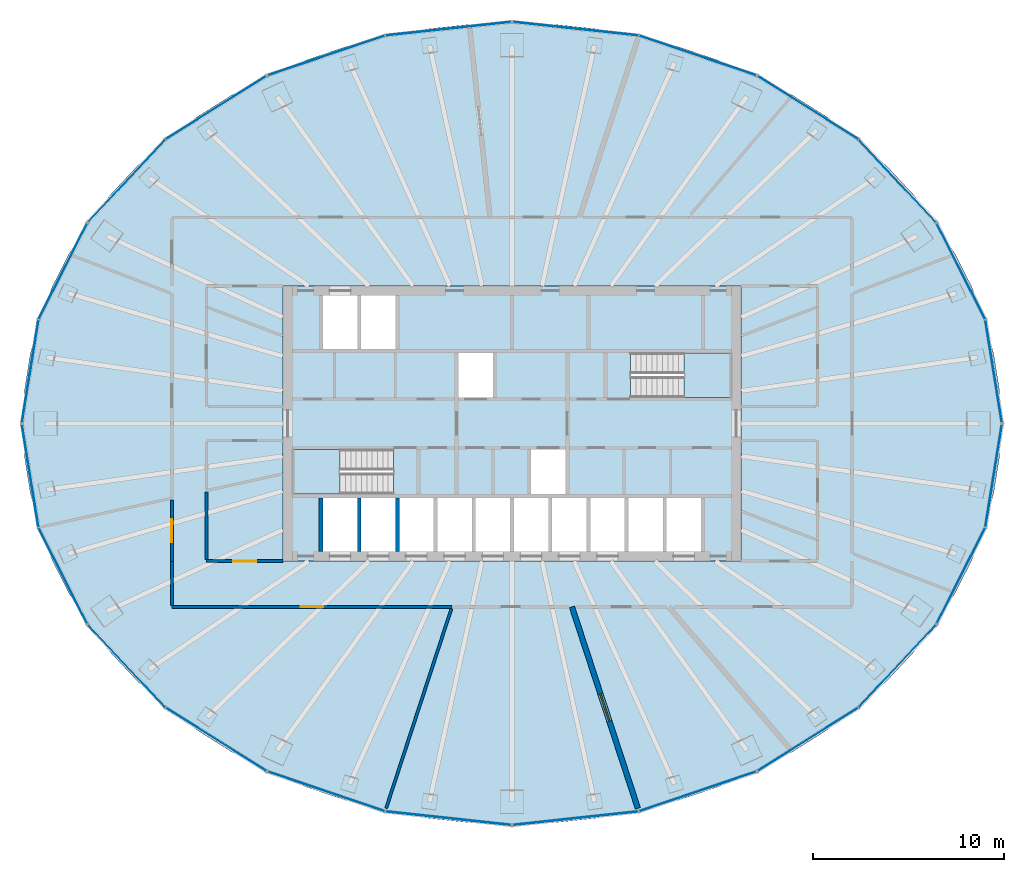
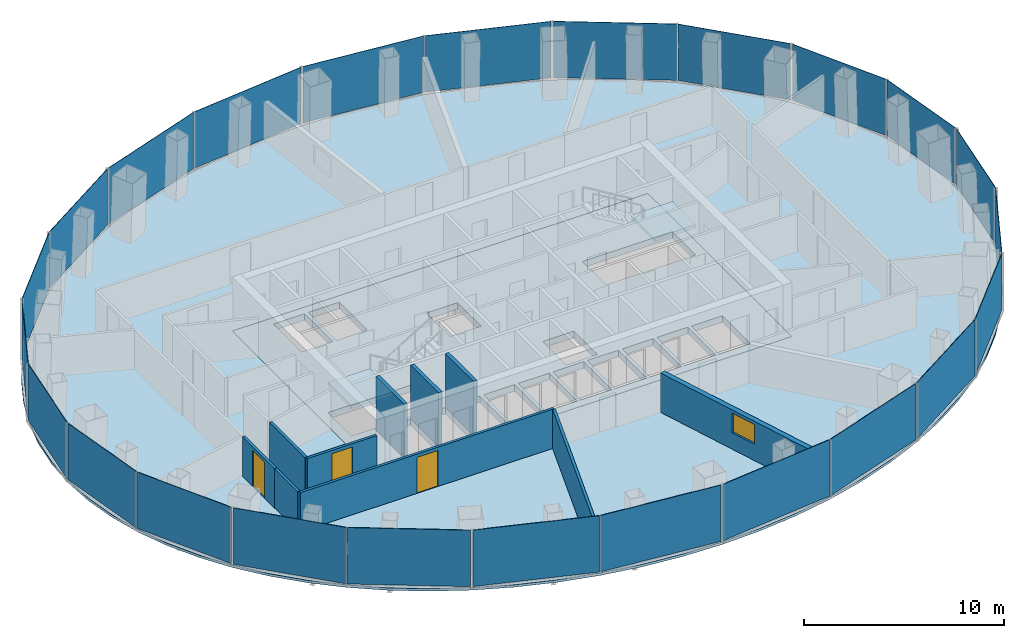
# One storey, part 7 of 12: 24 plates, 10 walls, 4 slabs, 3 doors, 1 window, 4 openings, 14 elements without a shape of their own.
"""IFC4 building model written with IfcOpenShell, lengths in metres."""

import ifcopenshell
import ifcopenshell.guid

model = None  # the IFC model being written
_history = None  # IfcOwnerHistory: only IFC2X3 demands one
_inside = {}  # id of a spatial element -> (the spatial element, [elements in it])
_under = {}  # id of a project, library or spatial element -> (it, [spatial elements below it])
_declared = {}  # id of a project -> (the project, [libraries it declares])
_typed = {}  # id of a type object -> (the type object, [elements of that type])
_made_of = {}  # id of a material, layer set ... -> (it, [elements and type objects made of it])


def new_model(schema):
    """Start an empty IFC model of exactly this schema.

    Asked for "IFC4X3", IfcOpenShell would pick the latest addendum, in which some entities
    have other attributes; the version numbers below select the first issue.
    IFC2X3 requires an IfcOwnerHistory on every rooted entity: one is made here for all.
    """
    global model, _history
    if schema == "IFC4X3":
        model = ifcopenshell.file(schema_version=(4, 3, 0, 0))
    else:
        model = ifcopenshell.file(schema=schema)
    _inside.clear()
    _under.clear()
    _declared.clear()
    _typed.clear()
    _made_of.clear()
    _history = None
    if model.schema == "IFC2X3":
        org = make("IfcOrganization", Name="unknown")
        user = make(
            "IfcPersonAndOrganization",
            ThePerson=make("IfcPerson", FamilyName="unknown"),
            TheOrganization=org,
        )
        app = make(
            "IfcApplication",
            ApplicationDeveloper=org,
            Version="unknown",
            ApplicationFullName="unknown",
            ApplicationIdentifier="unknown",
        )
        _history = make(
            "IfcOwnerHistory",
            OwningUser=user,
            OwningApplication=app,
            ChangeAction="ADDED",
            CreationDate=0,
        )
    return model


def make(cls, **values):
    """One entity of the class cls with the attributes given. An attribute that is None is left unset."""
    return model.create_entity(
        cls, **{name: value for name, value in values.items() if value is not None}
    )


def rooted(cls, **values):
    """An entity with a GlobalId (a new one), such as an element, a storey or a relation."""
    return make(cls, GlobalId=ifcopenshell.guid.new(), OwnerHistory=_history, **values)


def si_unit(unit_type, name, prefix=None):
    """IfcSIUnit, for example si_unit("LENGTHUNIT", "METRE", prefix="MILLI")."""
    return make("IfcSIUnit", UnitType=unit_type, Prefix=prefix, Name=name)


def assignment(units):
    """IfcUnitAssignment: the units of a project."""
    return None if units is None else make("IfcUnitAssignment", Units=units)


def point(xyz):
    """IfcCartesianPoint."""
    return None if xyz is None else make("IfcCartesianPoint", Coordinates=xyz)


def direction(xyz):
    """IfcDirection."""
    return None if xyz is None else make("IfcDirection", DirectionRatios=xyz)


def frame(location, z_axis=None, x_axis=None):
    """IfcAxis2Placement3D, a coordinate frame: its origin and axes. An axis left out is left unset."""
    return make(
        "IfcAxis2Placement3D",
        Location=point(location),
        Axis=direction(z_axis),
        RefDirection=direction(x_axis),
    )


def frame_2d(location, x_axis=None):
    """IfcAxis2Placement2D, a coordinate frame in the plane: its origin and x axis."""
    return make(
        "IfcAxis2Placement2D", Location=point(location), RefDirection=direction(x_axis)
    )


def origin():
    """The frame at (0, 0, 0) with its axes left unset."""
    return frame((0.0, 0.0, 0.0))


def origin_2d():
    """The frame at (0, 0) in the plane with its x axis left unset."""
    return frame_2d((0.0, 0.0))


def place(relative_to, where):
    """IfcLocalPlacement: puts the frame where relative to a parent placement (None: the world)."""
    return make(
        "IfcLocalPlacement", PlacementRelTo=relative_to, RelativePlacement=where
    )


def context(
    kind, dimensions, precision=None, world=None, true_north=None, identifier=None
):
    """IfcGeometricRepresentationContext, for example the 3D "Model" context."""
    return make(
        "IfcGeometricRepresentationContext",
        ContextIdentifier=identifier,
        ContextType=kind,
        CoordinateSpaceDimension=dimensions,
        Precision=precision,
        WorldCoordinateSystem=world,
        TrueNorth=true_north,
    )


def subcontext(parent, identifier, kind, view, scale=None):
    """IfcGeometricRepresentationSubContext, for example "Body" below "Model"."""
    return make(
        "IfcGeometricRepresentationSubContext",
        ContextIdentifier=identifier,
        ContextType=kind,
        ParentContext=parent,
        TargetScale=scale,
        TargetView=view,
    )


def project(units=None, contexts=None):
    """IfcProject with its units and contexts."""
    return rooted(
        "IfcProject",
        Name="project",
        RepresentationContexts=contexts,
        UnitsInContext=assignment(units),
    )


def spatial(cls, under=None, at=None, **own):
    """A site, building, storey or space (cls), placed at a placement, below another one or the project."""
    s = rooted(cls, ObjectPlacement=at, **own)
    if under is not None:
        _under.setdefault(under.id(), (under, []))[1].append(s)
    return s


def polyline(points):
    """IfcPolyline through the points."""
    return make("IfcPolyline", Points=[point(p) for p in points])


def profile(cls, at=None, kind="AREA", **sizes):
    """A parametric profile (cls). Its sizes go by their IFC names, for example OverallWidth=200.0."""
    return make(cls, ProfileType=kind, Position=at, **sizes)


def rectangle(**sizes):
    """IfcRectangleProfileDef."""
    return profile("IfcRectangleProfileDef", **sizes)


def outline(outer, holes=None, kind="AREA"):
    """IfcArbitraryClosedProfileDef: a profile drawn as a closed curve; with holes, ...WithVoids."""
    if holes is None:
        return make("IfcArbitraryClosedProfileDef", ProfileType=kind, OuterCurve=outer)
    return make(
        "IfcArbitraryProfileDefWithVoids",
        ProfileType=kind,
        OuterCurve=outer,
        InnerCurves=holes,
    )


def extrude(swept, where, along, depth):
    """IfcExtrudedAreaSolid: the profile swept, set in the frame where, extruded along a direction by depth."""
    return make(
        "IfcExtrudedAreaSolid",
        SweptArea=swept,
        Position=where,
        ExtrudedDirection=direction(along),
        Depth=depth,
    )


def shape(context_of_items, identifier, shape_type, items):
    """IfcShapeRepresentation: the items that make up one representation, for example the "Body"."""
    return make(
        "IfcShapeRepresentation",
        ContextOfItems=context_of_items,
        RepresentationIdentifier=identifier,
        RepresentationType=shape_type,
        Items=items,
    )


def material(Name=None, Category=None):
    """IfcMaterial."""
    return make("IfcMaterial", Name=Name, Category=Category)


def layer(
    of_material, thickness, ventilated=None, Name=None, Category=None, Priority=None
):
    """IfcMaterialLayer: one layer of a wall or slab, of a material (None: an air gap)."""
    return make(
        "IfcMaterialLayer",
        Material=of_material,
        LayerThickness=thickness,
        IsVentilated=ventilated,
        Name=Name,
        Category=Category,
        Priority=Priority,
    )


def layer_set(layers, Name=None):
    """IfcMaterialLayerSet."""
    return make("IfcMaterialLayerSet", MaterialLayers=layers, LayerSetName=Name)


def made_of(thing, what):
    """Note that an element or type object is made of a material, layer set ...; save() writes the relation."""
    if what is not None:
        _made_of.setdefault(what.id(), (what, []))[1].append(thing)
    return thing


def type_object(cls, material=None, **own):
    """A type object (cls), such as IfcWallType, which elements share."""
    return made_of(rooted(cls, **own), material)


def element(
    cls,
    number,
    at=None,
    inside=None,
    cuts=None,
    type_object=None,
    material=None,
    context=None,
    identifier="Body",
    shape_type=None,
    held_by="IfcProductDefinitionShape",
    body=None,
    shapes=None,
    **own,
):
    """One element of the class cls, such as IfcWall. Its Tag is "e" and its number.

    at: its placement. inside: the storey or other place that contains it. cuts: it is an
    opening in that element (IfcRelVoidsElement). A single representation is given by context,
    identifier, shape_type and body (its items); several are given by shapes. held_by: the class
    of the entity that holds the representations. save() writes the other relations.
    """
    e = rooted(cls, Tag="e%d" % number, ObjectPlacement=at, **own)
    if body is not None:
        shapes = [shape(context, identifier, shape_type, body)]
    if shapes is not None:
        e.Representation = make(held_by, Representations=shapes)
    if inside is not None:
        _inside.setdefault(inside.id(), (inside, []))[1].append(e)
    if cuts is not None:
        rooted(
            "IfcRelVoidsElement", RelatingBuildingElement=cuts, RelatedOpeningElement=e
        )
    if type_object is not None:
        _typed.setdefault(type_object.id(), (type_object, []))[1].append(e)
    return made_of(e, material)


def fill(opening, filler):
    """IfcRelFillsElement: the door or window that sits in an opening."""
    return rooted(
        "IfcRelFillsElement",
        RelatingOpeningElement=opening,
        RelatedBuildingElement=filler,
    )


def aggregate(whole, parts):
    """IfcRelAggregates: a whole, such as a stair, and the parts it consists of."""
    return rooted("IfcRelAggregates", RelatingObject=whole, RelatedObjects=parts)


def save(model, path):
    """Write the relations noted so far, then the file.

    IfcRelAggregates (storeys below a building ...), IfcRelContainedInSpatialStructure (elements
    in a storey), IfcRelDefinesByType, IfcRelAssociatesMaterial and IfcRelDeclares: one each for
    every whole, place, type object, material and project.
    """
    for whole, parts in _under.values():
        aggregate(whole, parts)
    for where, things in _inside.values():
        rooted(
            "IfcRelContainedInSpatialStructure",
            RelatedElements=things,
            RelatingStructure=where,
        )
    for kind, things in _typed.values():
        rooted("IfcRelDefinesByType", RelatedObjects=things, RelatingType=kind)
    for what, things in _made_of.values():
        rooted("IfcRelAssociatesMaterial", RelatedObjects=things, RelatingMaterial=what)
    for by, libraries in _declared.values():
        rooted("IfcRelDeclares", RelatingContext=by, RelatedDefinitions=libraries)
    model.write(path)


model = new_model("IFC4")

# Units and contexts
model_context = context("Model", 3, precision=1e-05, world=origin(), true_north=direction((0.0, 1.0)))
body_context = subcontext(model_context, "Body", "Model", "MODEL_VIEW")
ifc_project = project(units=[si_unit("LENGTHUNIT", "METRE"), si_unit("AREAUNIT", "SQUARE_METRE"), si_unit("VOLUMEUNIT", "CUBIC_METRE"), si_unit("PLANEANGLEUNIT", "RADIAN"), si_unit("MASSUNIT", "GRAM", prefix="KILO")], contexts=[model_context])

# Site, building, storey
site_placement = place(None, origin())
site = spatial("IfcSite", under=ifc_project, at=site_placement, CompositionType="ELEMENT")
building_placement = place(site_placement, origin())
building = spatial("IfcBuilding", under=site, at=building_placement, Name="Siaravel Broadcast Tower", CompositionType="ELEMENT")
storey_placement = place(building_placement, frame((0.0, 0.0, 115.60009765625)))
storey = spatial("IfcBuildingStorey", under=building, at=storey_placement, Name="L27", CompositionType="ELEMENT", Elevation=115.60009765625)

# Curtain wall, plates
ifc_material_1 = material(Name="Aluminium 6063-T6", Category="aluminium")
ifc_layer_1 = layer(ifc_material_1, 0.199951171875)
ifc_layer_set_1 = layer_set([ifc_layer_1], Name="Aluminium 6063-T6")
curtain_wall_type = type_object("IfcCurtainWallType", Name="Unitised curtain wall, zone 2", PredefinedType="NOTDEFINED", material=ifc_layer_set_1)
curtain_wall_1_placement = place(storey_placement, origin())
curtain_wall_1 = element("IfcCurtainWall", 1, at=curtain_wall_1_placement, inside=storey, type_object=curtain_wall_type, Name="L27 Unitised curtain wall, zone 2 01", PredefinedType="NOTDEFINED")
ifc_material_2 = material(Name="Tinted laminated glass", Category="glass")
ifc_layer_2 = layer(ifc_material_2, 0.030029296875)
ifc_layer_set_2 = layer_set([ifc_layer_2], Name="Tinted laminated glass")
plate_type = type_object("IfcPlateType", Name="CW-Z2 glass panel", PredefinedType="CURTAIN_PANEL", material=ifc_layer_set_2)
plate_1_placement = place(storey_placement, frame((25.215087890625, 2.738037109375, 0.10986328125), z_axis=(0.0, 0.0, 1.0), x_axis=(-0.158685687, 0.987329151, 0.0)))
plate_1 = element("IfcPlate", 2, at=plate_1_placement, type_object=plate_type, Name="CW-Z2 glass panel", PredefinedType="CURTAIN_PANEL", context=body_context, shape_type="SweptSolid", body=[
    extrude(rectangle(XDim=5.416259765625, YDim=0.030029296875, at=origin_2d()), origin(), (0.0, 0.0, 1.0), 3.43994140625),
])
plate_2_placement = place(storey_placement, frame((23.50537109375, 7.96533203125, 0.10986328125), z_axis=(0.0, 0.0, 1.0), x_axis=(-0.451261231, 0.892391899, 0.0)))
plate_2 = element("IfcPlate", 3, at=plate_2_placement, type_object=plate_type, Name="CW-Z2 glass panel", PredefinedType="CURTAIN_PANEL", context=body_context, shape_type="SweptSolid", body=[
    extrude(rectangle(XDim=5.585693359375, YDim=0.030029296875, at=origin_2d()), origin(), (0.0, 0.0, 1.0), 3.43994140625),
])
aggregate(curtain_wall_1, [plate_1, plate_2])

curtain_wall_2_placement = place(storey_placement, origin())
curtain_wall_2 = element("IfcCurtainWall", 4, at=curtain_wall_2_placement, inside=storey, type_object=curtain_wall_type, Name="L27 Unitised curtain wall, zone 2 02", PredefinedType="NOTDEFINED")
plate_3_placement = place(storey_placement, frame((20.165283203125, 12.704345703125, 0.10986328125), z_axis=(0.0, 0.0, 1.0), x_axis=(-0.683655392, 0.729804977, 0.0)))
plate_3 = element("IfcPlate", 5, at=plate_3_placement, type_object=plate_type, Name="CW-Z2 glass panel", PredefinedType="CURTAIN_PANEL", context=body_context, shape_type="SweptSolid", body=[
    extrude(rectangle(XDim=5.867919921875, YDim=0.030029296875, at=origin_2d()), origin(), (0.0, 0.0, 1.0), 3.43994140625),
])
plate_4_placement = place(storey_placement, frame((15.494384765625, 16.530517578125, 0.10986328125), z_axis=(0.0, 0.0, 1.0), x_axis=(-0.846650708, 0.532149019, 0.0)))
plate_4 = element("IfcPlate", 6, at=plate_4_placement, type_object=plate_type, Name="CW-Z2 glass panel", PredefinedType="CURTAIN_PANEL", context=body_context, shape_type="SweptSolid", body=[
    extrude(rectangle(XDim=6.17822265625, YDim=0.030029296875, at=origin_2d()), origin(), (0.0, 0.0, 1.0), 3.43994140625),
])
aggregate(curtain_wall_2, [plate_3, plate_4])

curtain_wall_3_placement = place(storey_placement, origin())
curtain_wall_3 = element("IfcCurtainWall", 7, at=curtain_wall_3_placement, inside=storey, type_object=curtain_wall_type, Name="L27 Unitised curtain wall, zone 2 03", PredefinedType="NOTDEFINED")
plate_5_placement = place(storey_placement, frame((9.715576171875, 19.263427734375, 0.10986328125), z_axis=(0.0, 0.0, 1.0), x_axis=(-0.946977286, 0.321300513, 0.0)))
plate_5 = element("IfcPlate", 8, at=plate_5_placement, type_object=plate_type, Name="CW-Z2 glass panel", PredefinedType="CURTAIN_PANEL", context=body_context, shape_type="SweptSolid", body=[
    extrude(rectangle(XDim=6.43505859375, YDim=0.030029296875, at=origin_2d()), origin(), (0.0, 0.0, 1.0), 3.43994140625),
])
plate_6_placement = place(storey_placement, frame((3.335205078125, 20.663818359375, 0.10986328125), z_axis=(0.0, 0.0, 1.0), x_axis=(-0.994235594, 0.107217456, 0.0)))
plate_6 = element("IfcPlate", 9, at=plate_6_placement, type_object=plate_type, Name="CW-Z2 glass panel", PredefinedType="CURTAIN_PANEL", context=body_context, shape_type="SweptSolid", body=[
    extrude(rectangle(XDim=6.578857421875, YDim=0.030029296875, at=origin_2d()), origin(), (0.0, 0.0, 1.0), 3.43994140625),
])
aggregate(curtain_wall_3, [plate_5, plate_6])

curtain_wall_4_placement = place(storey_placement, origin())
curtain_wall_4 = element("IfcCurtainWall", 10, at=curtain_wall_4_placement, inside=storey, type_object=curtain_wall_type, Name="L27 Unitised curtain wall, zone 2 04", PredefinedType="NOTDEFINED")
plate_7_placement = place(storey_placement, frame((-3.335205078125, 20.663818359375, 0.10986328125), z_axis=(0.0, 0.0, 1.0), x_axis=(-0.994235594, -0.107217456, 0.0)))
plate_7 = element("IfcPlate", 11, at=plate_7_placement, type_object=plate_type, Name="CW-Z2 glass panel", PredefinedType="CURTAIN_PANEL", context=body_context, shape_type="SweptSolid", body=[
    extrude(rectangle(XDim=6.578857421875, YDim=0.030029296875, at=origin_2d()), origin(), (0.0, 0.0, 1.0), 3.43994140625),
])
plate_8_placement = place(storey_placement, frame((-9.715576171875, 19.263427734375, 0.10986328125), z_axis=(0.0, 0.0, 1.0), x_axis=(-0.946977286, -0.321300513, 0.0)))
plate_8 = element("IfcPlate", 12, at=plate_8_placement, type_object=plate_type, Name="CW-Z2 glass panel", PredefinedType="CURTAIN_PANEL", context=body_context, shape_type="SweptSolid", body=[
    extrude(rectangle(XDim=6.43505859375, YDim=0.030029296875, at=origin_2d()), origin(), (0.0, 0.0, 1.0), 3.43994140625),
])
aggregate(curtain_wall_4, [plate_7, plate_8])

curtain_wall_5_placement = place(storey_placement, origin())
curtain_wall_5 = element("IfcCurtainWall", 13, at=curtain_wall_5_placement, inside=storey, type_object=curtain_wall_type, Name="L27 Unitised curtain wall, zone 2 05", PredefinedType="NOTDEFINED")
plate_9_placement = place(storey_placement, frame((-15.494384765625, 16.530517578125, 0.10986328125), z_axis=(0.0, 0.0, 1.0), x_axis=(-0.846650708, -0.532149019, 0.0)))
plate_9 = element("IfcPlate", 14, at=plate_9_placement, type_object=plate_type, Name="CW-Z2 glass panel", PredefinedType="CURTAIN_PANEL", context=body_context, shape_type="SweptSolid", body=[
    extrude(rectangle(XDim=6.17822265625, YDim=0.030029296875, at=origin_2d()), origin(), (0.0, 0.0, 1.0), 3.43994140625),
])
plate_10_placement = place(storey_placement, frame((-20.165283203125, 12.704345703125, 0.10986328125), z_axis=(0.0, 0.0, 1.0), x_axis=(-0.683655392, -0.729804977, 0.0)))
plate_10 = element("IfcPlate", 15, at=plate_10_placement, type_object=plate_type, Name="CW-Z2 glass panel", PredefinedType="CURTAIN_PANEL", context=body_context, shape_type="SweptSolid", body=[
    extrude(rectangle(XDim=5.867919921875, YDim=0.030029296875, at=origin_2d()), origin(), (0.0, 0.0, 1.0), 3.43994140625),
])
aggregate(curtain_wall_5, [plate_9, plate_10])

curtain_wall_6_placement = place(storey_placement, origin())
curtain_wall_6 = element("IfcCurtainWall", 16, at=curtain_wall_6_placement, inside=storey, type_object=curtain_wall_type, Name="L27 Unitised curtain wall, zone 2 06", PredefinedType="NOTDEFINED")
plate_11_placement = place(storey_placement, frame((-23.50537109375, 7.96533203125, 0.10986328125), z_axis=(0.0, 0.0, 1.0), x_axis=(-0.451261231, -0.892391899, 0.0)))
plate_11 = element("IfcPlate", 17, at=plate_11_placement, type_object=plate_type, Name="CW-Z2 glass panel", PredefinedType="CURTAIN_PANEL", context=body_context, shape_type="SweptSolid", body=[
    extrude(rectangle(XDim=5.585693359375, YDim=0.030029296875, at=origin_2d()), origin(), (0.0, 0.0, 1.0), 3.43994140625),
])
plate_12_placement = place(storey_placement, frame((-25.215087890625, 2.738037109375, 0.10986328125), z_axis=(0.0, 0.0, 1.0), x_axis=(-0.158685687, -0.987329151, 0.0)))
plate_12 = element("IfcPlate", 18, at=plate_12_placement, type_object=plate_type, Name="CW-Z2 glass panel", PredefinedType="CURTAIN_PANEL", context=body_context, shape_type="SweptSolid", body=[
    extrude(rectangle(XDim=5.416259765625, YDim=0.030029296875, at=origin_2d()), origin(), (0.0, 0.0, 1.0), 3.43994140625),
])
aggregate(curtain_wall_6, [plate_11, plate_12])

curtain_wall_7_placement = place(storey_placement, origin())
curtain_wall_7 = element("IfcCurtainWall", 19, at=curtain_wall_7_placement, inside=storey, type_object=curtain_wall_type, Name="L27 Unitised curtain wall, zone 2 07", PredefinedType="NOTDEFINED")
plate_13_placement = place(storey_placement, frame((-25.215087890625, -2.738037109375, 0.10986328125), z_axis=(0.0, 0.0, 1.0), x_axis=(0.158685687, -0.987329151, 0.0)))
plate_13 = element("IfcPlate", 20, at=plate_13_placement, type_object=plate_type, Name="CW-Z2 glass panel", PredefinedType="CURTAIN_PANEL", context=body_context, shape_type="SweptSolid", body=[
    extrude(rectangle(XDim=5.416259765625, YDim=0.030029296875, at=origin_2d()), origin(), (0.0, 0.0, 1.0), 3.43994140625),
])
plate_14_placement = place(storey_placement, frame((-23.50537109375, -7.96533203125, 0.10986328125), z_axis=(0.0, 0.0, 1.0), x_axis=(0.451261231, -0.892391899, 0.0)))
plate_14 = element("IfcPlate", 21, at=plate_14_placement, type_object=plate_type, Name="CW-Z2 glass panel", PredefinedType="CURTAIN_PANEL", context=body_context, shape_type="SweptSolid", body=[
    extrude(rectangle(XDim=5.585693359375, YDim=0.030029296875, at=origin_2d()), origin(), (0.0, 0.0, 1.0), 3.43994140625),
])
aggregate(curtain_wall_7, [plate_13, plate_14])

curtain_wall_8_placement = place(storey_placement, origin())
curtain_wall_8 = element("IfcCurtainWall", 22, at=curtain_wall_8_placement, inside=storey, type_object=curtain_wall_type, Name="L27 Unitised curtain wall, zone 2 08", PredefinedType="NOTDEFINED")
plate_15_placement = place(storey_placement, frame((-20.165283203125, -12.704345703125, 0.10986328125), z_axis=(0.0, 0.0, 1.0), x_axis=(0.683655392, -0.729804977, 0.0)))
plate_15 = element("IfcPlate", 23, at=plate_15_placement, type_object=plate_type, Name="CW-Z2 glass panel", PredefinedType="CURTAIN_PANEL", context=body_context, shape_type="SweptSolid", body=[
    extrude(rectangle(XDim=5.867919921875, YDim=0.030029296875, at=origin_2d()), origin(), (0.0, 0.0, 1.0), 3.43994140625),
])
plate_16_placement = place(storey_placement, frame((-15.494384765625, -16.530517578125, 0.10986328125), z_axis=(0.0, 0.0, 1.0), x_axis=(0.846650708, -0.532149019, 0.0)))
plate_16 = element("IfcPlate", 24, at=plate_16_placement, type_object=plate_type, Name="CW-Z2 glass panel", PredefinedType="CURTAIN_PANEL", context=body_context, shape_type="SweptSolid", body=[
    extrude(rectangle(XDim=6.17822265625, YDim=0.030029296875, at=origin_2d()), origin(), (0.0, 0.0, 1.0), 3.43994140625),
])
aggregate(curtain_wall_8, [plate_15, plate_16])

curtain_wall_9_placement = place(storey_placement, origin())
curtain_wall_9 = element("IfcCurtainWall", 25, at=curtain_wall_9_placement, inside=storey, type_object=curtain_wall_type, Name="L27 Unitised curtain wall, zone 2 09", PredefinedType="NOTDEFINED")
plate_17_placement = place(storey_placement, frame((-9.715576171875, -19.263427734375, 0.10986328125), z_axis=(0.0, 0.0, 1.0), x_axis=(0.946977286, -0.321300513, 0.0)))
plate_17 = element("IfcPlate", 26, at=plate_17_placement, type_object=plate_type, Name="CW-Z2 glass panel", PredefinedType="CURTAIN_PANEL", context=body_context, shape_type="SweptSolid", body=[
    extrude(rectangle(XDim=6.43505859375, YDim=0.030029296875, at=origin_2d()), origin(), (0.0, 0.0, 1.0), 3.43994140625),
])
plate_18_placement = place(storey_placement, frame((-3.335205078125, -20.663818359375, 0.10986328125), z_axis=(0.0, 0.0, 1.0), x_axis=(0.994235594, -0.107217456, 0.0)))
plate_18 = element("IfcPlate", 27, at=plate_18_placement, type_object=plate_type, Name="CW-Z2 glass panel", PredefinedType="CURTAIN_PANEL", context=body_context, shape_type="SweptSolid", body=[
    extrude(rectangle(XDim=6.578857421875, YDim=0.030029296875, at=origin_2d()), origin(), (0.0, 0.0, 1.0), 3.43994140625),
])
aggregate(curtain_wall_9, [plate_17, plate_18])

curtain_wall_10_placement = place(storey_placement, origin())
curtain_wall_10 = element("IfcCurtainWall", 28, at=curtain_wall_10_placement, inside=storey, type_object=curtain_wall_type, Name="L27 Unitised curtain wall, zone 2 10", PredefinedType="NOTDEFINED")
plate_19_placement = place(storey_placement, frame((3.335205078125, -20.663818359375, 0.10986328125), z_axis=(0.0, 0.0, 1.0), x_axis=(0.994235594, 0.107217456, 0.0)))
plate_19 = element("IfcPlate", 29, at=plate_19_placement, type_object=plate_type, Name="CW-Z2 glass panel", PredefinedType="CURTAIN_PANEL", context=body_context, shape_type="SweptSolid", body=[
    extrude(rectangle(XDim=6.578857421875, YDim=0.030029296875, at=origin_2d()), origin(), (0.0, 0.0, 1.0), 3.43994140625),
])
plate_20_placement = place(storey_placement, frame((9.715576171875, -19.263427734375, 0.10986328125), z_axis=(0.0, 0.0, 1.0), x_axis=(0.946977286, 0.321300513, 0.0)))
plate_20 = element("IfcPlate", 30, at=plate_20_placement, type_object=plate_type, Name="CW-Z2 glass panel", PredefinedType="CURTAIN_PANEL", context=body_context, shape_type="SweptSolid", body=[
    extrude(rectangle(XDim=6.43505859375, YDim=0.030029296875, at=origin_2d()), origin(), (0.0, 0.0, 1.0), 3.43994140625),
])
aggregate(curtain_wall_10, [plate_19, plate_20])

curtain_wall_11_placement = place(storey_placement, origin())
curtain_wall_11 = element("IfcCurtainWall", 31, at=curtain_wall_11_placement, inside=storey, type_object=curtain_wall_type, Name="L27 Unitised curtain wall, zone 2 11", PredefinedType="NOTDEFINED")
plate_21_placement = place(storey_placement, frame((15.494384765625, -16.530517578125, 0.10986328125), z_axis=(0.0, 0.0, 1.0), x_axis=(0.846650708, 0.532149019, 0.0)))
plate_21 = element("IfcPlate", 32, at=plate_21_placement, type_object=plate_type, Name="CW-Z2 glass panel", PredefinedType="CURTAIN_PANEL", context=body_context, shape_type="SweptSolid", body=[
    extrude(rectangle(XDim=6.17822265625, YDim=0.030029296875, at=origin_2d()), origin(), (0.0, 0.0, 1.0), 3.43994140625),
])
plate_22_placement = place(storey_placement, frame((20.165283203125, -12.704345703125, 0.10986328125), z_axis=(0.0, 0.0, 1.0), x_axis=(0.683655392, 0.729804977, 0.0)))
plate_22 = element("IfcPlate", 33, at=plate_22_placement, type_object=plate_type, Name="CW-Z2 glass panel", PredefinedType="CURTAIN_PANEL", context=body_context, shape_type="SweptSolid", body=[
    extrude(rectangle(XDim=5.867919921875, YDim=0.030029296875, at=origin_2d()), origin(), (0.0, 0.0, 1.0), 3.43994140625),
])
aggregate(curtain_wall_11, [plate_21, plate_22])

curtain_wall_12_placement = place(storey_placement, origin())
curtain_wall_12 = element("IfcCurtainWall", 34, at=curtain_wall_12_placement, inside=storey, type_object=curtain_wall_type, Name="L27 Unitised curtain wall, zone 2 12", PredefinedType="NOTDEFINED")
plate_23_placement = place(storey_placement, frame((23.50537109375, -7.96533203125, 0.10986328125), z_axis=(0.0, 0.0, 1.0), x_axis=(0.451261231, 0.892391899, 0.0)))
plate_23 = element("IfcPlate", 35, at=plate_23_placement, type_object=plate_type, Name="CW-Z2 glass panel", PredefinedType="CURTAIN_PANEL", context=body_context, shape_type="SweptSolid", body=[
    extrude(rectangle(XDim=5.585693359375, YDim=0.030029296875, at=origin_2d()), origin(), (0.0, 0.0, 1.0), 3.43994140625),
])
plate_24_placement = place(storey_placement, frame((25.215087890625, -2.738037109375, 0.10986328125), z_axis=(0.0, 0.0, 1.0), x_axis=(0.158685687, 0.987329151, 0.0)))
plate_24 = element("IfcPlate", 36, at=plate_24_placement, type_object=plate_type, Name="CW-Z2 glass panel", PredefinedType="CURTAIN_PANEL", context=body_context, shape_type="SweptSolid", body=[
    extrude(rectangle(XDim=5.416259765625, YDim=0.030029296875, at=origin_2d()), origin(), (0.0, 0.0, 1.0), 3.43994140625),
])
aggregate(curtain_wall_12, [plate_23, plate_24])

# Slabs
ifc_material_3 = material(Name="Concrete C40/50", Category="concrete")
ifc_layer_3 = layer(ifc_material_3, 0.39990234375)
ifc_layer_set_3 = layer_set([ifc_layer_3], Name="Concrete C40/50")
slab_type_1 = type_object("IfcSlabType", Name="Core floor slab 400", PredefinedType="FLOOR", material=ifc_layer_set_3)
slab_1_placement = place(storey_placement, frame((0.0, 0.0, -0.400146484375)))
element("IfcSlab", 37, at=slab_1_placement, inside=storey, type_object=slab_type_1, Name="L27 core floor", PredefinedType="FLOOR", context=body_context, shape_type="SweptSolid", body=[
    extrude(outline(polyline([(-12.0, -7.199951171875), (-12.0, 7.199951171875), (12.0, 7.199951171875), (12.0, -7.199951171875), (-12.0, -7.199951171875)]), holes=[polyline([(11.3994140625, 1.3505859375), (11.3994140625, 3.699462890625), (6.200439453125, 3.699462890625), (6.200439453125, 1.3505859375), (11.3994140625, 1.3505859375)]), polyline([(9.89990234375, -3.89990234375), (8.10009765625, -3.89990234375), (8.10009765625, -6.699951171875), (9.89990234375, -6.699951171875), (9.89990234375, -3.89990234375)]), polyline([(7.89990234375, -3.89990234375), (6.10009765625, -3.89990234375), (6.10009765625, -6.699951171875), (7.89990234375, -6.699951171875), (7.89990234375, -3.89990234375)]), polyline([(5.89990234375, -3.89990234375), (4.10009765625, -3.89990234375), (4.10009765625, -6.699951171875), (5.89990234375, -6.699951171875), (5.89990234375, -3.89990234375)]), polyline([(3.89990234375, -3.89990234375), (2.10009765625, -3.89990234375), (2.10009765625, -6.699951171875), (3.89990234375, -6.699951171875), (3.89990234375, -3.89990234375)]), polyline([(2.800048828125, -1.35009765625), (1.0, -1.35009765625), (1.0, -3.699951171875), (2.800048828125, -3.699951171875), (2.800048828125, -1.35009765625)]), polyline([(1.89990234375, -3.89990234375), (0.10009765625, -3.89990234375), (0.10009765625, -6.699951171875), (1.89990234375, -6.699951171875), (1.89990234375, -3.89990234375)]), polyline([(-0.10009765625, -3.89990234375), (-1.89990234375, -3.89990234375), (-1.89990234375, -6.699951171875), (-0.10009765625, -6.699951171875), (-0.10009765625, -3.89990234375)]), polyline([(-1.0, 3.699951171875), (-2.800048828125, 3.699951171875), (-2.800048828125, 1.35009765625), (-1.0, 1.35009765625), (-1.0, 3.699951171875)]), polyline([(-2.10009765625, -3.89990234375), (-3.89990234375, -3.89990234375), (-3.89990234375, -6.699951171875), (-2.10009765625, -6.699951171875), (-2.10009765625, -3.89990234375)]), polyline([(-4.10009765625, -3.89990234375), (-5.89990234375, -3.89990234375), (-5.89990234375, -6.699951171875), (-4.10009765625, -6.699951171875), (-4.10009765625, -3.89990234375)]), polyline([(-6.10009765625, -3.89990234375), (-7.89990234375, -3.89990234375), (-7.89990234375, -6.699951171875), (-6.10009765625, -6.699951171875), (-6.10009765625, -3.89990234375)]), polyline([(-6.10009765625, 6.699951171875), (-7.89990234375, 6.699951171875), (-7.89990234375, 3.89990234375), (-6.10009765625, 3.89990234375), (-6.10009765625, 6.699951171875)]), polyline([(-11.3994140625, -1.3505859375), (-11.3994140625, -3.699462890625), (-6.200439453125, -3.699462890625), (-6.200439453125, -1.3505859375), (-11.3994140625, -1.3505859375)]), polyline([(-8.10009765625, -3.89990234375), (-9.89990234375, -3.89990234375), (-9.89990234375, -6.699951171875), (-8.10009765625, -6.699951171875), (-8.10009765625, -3.89990234375)]), polyline([(-8.10009765625, 6.699951171875), (-9.89990234375, 6.699951171875), (-9.89990234375, 3.89990234375), (-8.10009765625, 3.89990234375), (-8.10009765625, 6.699951171875)])]), origin(), (0.0, 0.0, 1.0), 0.400146484375),
])
ifc_layer_4 = layer(ifc_material_3, 0.14990234375)
ifc_layer_set_4 = layer_set([ifc_layer_4], Name="Concrete C40/50")
slab_type_2 = type_object("IfcSlabType", Name="SLB-FLOOR-150", PredefinedType="FLOOR", material=ifc_layer_set_4)
slab_2_placement = place(storey_placement, frame((0.0, 0.0, -0.150146484375)))
element("IfcSlab", 38, at=slab_2_placement, inside=storey, type_object=slab_type_2, Name="Floor slab", PredefinedType="FLOOR", context=body_context, shape_type="SweptSolid", body=[
    extrude(outline(polyline([(25.605224609375, 0.0), (25.5078125, 1.827880859375), (25.21630859375, 3.64208984375), (24.73291015625, 5.428466796875), (24.06103515625, 7.17333984375), (23.206298828125, 8.86376953125), (22.1748046875, 10.48681640625), (20.974609375, 12.030029296875), (19.61474609375, 13.481689453125), (18.105712890625, 14.83056640625), (16.458740234375, 16.066650390625), (14.6865234375, 17.1806640625), (12.802734375, 18.163818359375), (10.8212890625, 19.008544921875), (8.757568359375, 19.708740234375), (6.627197265625, 20.2587890625), (4.4462890625, 20.655029296875), (2.231689453125, 20.893798828125), (0.0, 20.9736328125), (-2.231689453125, 20.893798828125), (-4.4462890625, 20.655029296875), (-6.627197265625, 20.2587890625), (-8.757568359375, 19.708740234375), (-10.8212890625, 19.008544921875), (-12.802490234375, 18.163818359375), (-14.6865234375, 17.1806640625), (-16.458740234375, 16.066650390625), (-18.105712890625, 14.83056640625), (-19.61474609375, 13.481689453125), (-20.974609375, 12.030029296875), (-22.1748046875, 10.48681640625), (-23.206298828125, 8.86376953125), (-24.06103515625, 7.17333984375), (-24.73291015625, 5.428466796875), (-25.21630859375, 3.64208984375), (-25.5078125, 1.827880859375), (-25.605224609375, 0.0), (-25.5078125, -1.827880859375), (-25.21630859375, -3.64208984375), (-24.73291015625, -5.428466796875), (-24.06103515625, -7.17333984375), (-23.206298828125, -8.86376953125), (-22.1748046875, -10.48681640625), (-20.974609375, -12.030029296875), (-19.61474609375, -13.481689453125), (-18.105712890625, -14.83056640625), (-16.458740234375, -16.066650390625), (-14.6865234375, -17.1806640625), (-12.802734375, -18.163818359375), (-10.8212890625, -19.008544921875), (-8.757568359375, -19.708740234375), (-6.627197265625, -20.2587890625), (-4.4462890625, -20.655029296875), (-2.231689453125, -20.893798828125), (0.0, -20.9736328125), (2.231689453125, -20.893798828125), (4.4462890625, -20.655029296875), (6.627197265625, -20.2587890625), (8.757568359375, -19.708740234375), (10.8212890625, -19.008544921875), (12.802734375, -18.163818359375), (14.6865234375, -17.1806640625), (16.458740234375, -16.066650390625), (18.105712890625, -14.83056640625), (19.61474609375, -13.481689453125), (20.974609375, -12.030029296875), (22.1748046875, -10.48681640625), (23.206298828125, -8.86376953125), (24.06103515625, -7.17333984375), (24.73291015625, -5.428466796875), (25.21630859375, -3.64208984375), (25.5078125, -1.827880859375), (25.605224609375, 0.0)]), holes=[polyline([(-12.0, 7.199951171875), (12.0, 7.199951171875), (12.0, -7.199951171875), (-12.0, -7.199951171875), (-12.0, 7.199951171875)])]), origin(), (0.0, 0.0, 1.0), 0.150146484375),
])

# Stair, slab
stair_type = type_object("IfcStairType", Name="Core exit stair", PredefinedType="HALF_TURN_STAIR", material=ifc_material_3)
stair_1_placement = place(storey_placement, origin())
stair_1 = element("IfcStair", 39, at=stair_1_placement, inside=storey, type_object=stair_type, Name="L27 Exit stair ST-1", PredefinedType="HALF_TURN_STAIR")
ifc_layer_5 = layer(ifc_material_3, 0.199951171875)
ifc_layer_set_5 = layer_set([ifc_layer_5], Name="Concrete C40/50")
slab_type_3 = type_object("IfcSlabType", Name="Stair landing", PredefinedType="LANDING", material=ifc_layer_set_5)
slab_3_placement = place(storey_placement, frame((0.0, 0.0, 1.64990234375)))
slab_3 = element("IfcSlab", 40, at=slab_3_placement, type_object=slab_type_3, Name="ST-1 landing 1", PredefinedType="LANDING", context=body_context, shape_type="SweptSolid", body=[
    extrude(outline(polyline([(-9.0, -1.35009765625), (-11.39990234375, -1.35009765625), (-11.39990234375, -3.699951171875), (-9.0, -3.699951171875), (-9.0, -1.35009765625)])), origin(), (0.0, 0.0, 1.0), 0.199951171875),
])
aggregate(stair_1, [slab_3])

stair_2_placement = place(storey_placement, origin())
stair_2 = element("IfcStair", 41, at=stair_2_placement, inside=storey, type_object=stair_type, Name="L27 Exit stair ST-2", PredefinedType="HALF_TURN_STAIR")
slab_4_placement = place(storey_placement, frame((0.0, 0.0, 1.64990234375)))
slab_4 = element("IfcSlab", 42, at=slab_4_placement, type_object=slab_type_3, Name="ST-2 landing 1", PredefinedType="LANDING", context=body_context, shape_type="SweptSolid", body=[
    extrude(outline(polyline([(9.0, 1.35009765625), (11.39990234375, 1.35009765625), (11.39990234375, 3.699951171875), (9.0, 3.699951171875), (9.0, 1.35009765625)])), origin(), (0.0, 0.0, 1.0), 0.199951171875),
])
aggregate(stair_2, [slab_4])

# Wall, opening, window
ifc_material_4 = material(Name="Double-leaf acoustic partition", Category="gypsum")
ifc_layer_6 = layer(ifc_material_4, 0.280029296875)
ifc_layer_set_6 = layer_set([ifc_layer_6], Name="Double-leaf acoustic partition")
wall_type_1 = type_object("IfcWallType", Name="Acoustic double-leaf wall 280", PredefinedType="PARTITIONING", material=ifc_layer_set_6)
wall_1_placement = place(storey_placement, frame((6.589599609375, -20.143798828125, 0.0), z_axis=(0.0, 0.0, 1.0), x_axis=(-0.310921234, 0.950435682, 0.0)))
wall_1 = element("IfcWall", 43, at=wall_1_placement, inside=storey, type_object=wall_type_1, Name="L27 partition 4", PredefinedType="PARTITIONING", context=body_context, shape_type="SweptSolid", body=[
    extrude(rectangle(XDim=11.093505859375, YDim=0.280029296875, at=frame_2d((5.546875, 0.0))), origin(), (0.0, 0.0, 1.0), 2.39990234375),
])
opening_1_placement = place(wall_1_placement, frame((4.796875, 0.0, 1.0)))
opening_1 = element("IfcOpeningElement", 44, at=opening_1_placement, cuts=wall_1, Name="Opening L27-W02", PredefinedType="OPENING", context=body_context, shape_type="SweptSolid", body=[
    extrude(rectangle(XDim=1.5, YDim=1.199951171875, at=frame_2d((0.75, 0.60009765625))), frame((0.0, 0.14990234375, 0.0), z_axis=(0.0, -1.0, 0.0), x_axis=(1.0, 0.0, 0.0)), (0.0, 0.0, 1.0), 0.300048828125),
])
ifc_material_5 = material(Name="Laminated acoustic glass", Category="glass")
window_type = type_object("IfcWindowType", Name="Studio viewing window 1500", PartitioningType="SINGLE_PANEL", PredefinedType="WINDOW", material=ifc_material_5)
window_placement = place(opening_1_placement, origin())
window = element("IfcWindow", 45, at=window_placement, inside=storey, type_object=window_type, Name="L27 viewing window to Viewing theatre", OverallHeight=1.199951171875, OverallWidth=1.5, PartitioningType="SINGLE_PANEL", PredefinedType="WINDOW", context=body_context, shape_type="SweptSolid", body=[
    extrude(rectangle(XDim=1.5, YDim=1.199951171875, at=frame_2d((0.75, 0.60009765625))), frame((0.0, 0.030029296875, 0.0), z_axis=(0.0, -1.0, 0.0), x_axis=(1.0, 0.0, 0.0)), (0.0, 0.0, 1.0), 0.06005859375),
])
fill(opening_1, window)

# Wall, opening, door
ifc_material_6 = material(Name="Gypsum board partition", Category="gypsum")
ifc_layer_7 = layer(ifc_material_6, 0.14990234375)
ifc_layer_set_7 = layer_set([ifc_layer_7], Name="Gypsum board partition")
wall_type_2 = type_object("IfcWallType", Name="Corridor wall 150", PredefinedType="PARTITIONING", material=ifc_layer_set_7)
wall_2_placement = place(storey_placement, frame((-17.800048828125, -9.60009765625, 0.0), z_axis=(0.0, 0.0, 1.0), x_axis=(1.0, 0.0, 0.0)))
wall_2 = element("IfcWall", 46, at=wall_2_placement, inside=storey, type_object=wall_type_2, Name="L27 partition 2", PredefinedType="PARTITIONING", context=body_context, shape_type="SweptSolid", body=[
    extrude(rectangle(XDim=14.65966796875, YDim=0.14990234375, at=frame_2d((7.329833984375, 0.0))), origin(), (0.0, 0.0, 1.0), 2.39990234375),
])
opening_2_placement = place(wall_2_placement, frame((6.729736328125, 0.0, 0.0)))
opening_2 = element("IfcOpeningElement", 47, at=opening_2_placement, cuts=wall_2, Name="Opening L27-017", PredefinedType="OPENING", context=body_context, shape_type="SweptSolid", body=[
    extrude(rectangle(XDim=1.199951171875, YDim=2.199951171875, at=frame_2d((0.60009765625, 1.10009765625))), frame((0.0, 0.0849609375, 0.0), z_axis=(0.0, -1.0, 0.0), x_axis=(1.0, 0.0, 0.0)), (0.0, 0.0, 1.0), 0.169921875),
])
ifc_material_7 = material(Name="Timber veneer", Category="wood")
door_type = type_object("IfcDoorType", Name="Office double door 1200", OperationType="DOUBLE_DOOR_SINGLE_SWING", PredefinedType="DOOR", material=ifc_material_7)
door_1_placement = place(opening_2_placement, origin())
door_1 = element("IfcDoor", 48, at=door_1_placement, inside=storey, type_object=door_type, Name="L27 door to Open plan production office", OperationType="DOUBLE_DOOR_SINGLE_SWING", OverallHeight=2.199951171875, OverallWidth=1.199951171875, PredefinedType="DOOR", context=body_context, shape_type="SweptSolid", body=[
    extrude(rectangle(XDim=1.199951171875, YDim=2.199951171875, at=frame_2d((0.60009765625, 1.10009765625))), frame((0.0, 0.02490234375, 0.0), z_axis=(0.0, -1.0, 0.0), x_axis=(1.0, 0.0, 0.0)), (0.0, 0.0, 1.0), 0.050048828125),
])
fill(opening_2, door_1)

wall_3_placement = place(storey_placement, frame((-12.0, -7.199951171875, 0.0), z_axis=(0.0, 0.0, 1.0), x_axis=(-1.0, 0.0, 0.0)))
wall_3 = element("IfcWall", 49, at=wall_3_placement, inside=storey, type_object=wall_type_2, Name="L27 partition 30", PredefinedType="PARTITIONING", context=body_context, shape_type="SweptSolid", body=[
    extrude(rectangle(XDim=4.0, YDim=0.14990234375, at=frame_2d((2.0, 0.0))), origin(), (0.0, 0.0, 1.0), 2.39990234375),
])
opening_3_placement = place(wall_3_placement, frame((1.39990234375, 0.0, 0.0)))
opening_3 = element("IfcOpeningElement", 50, at=opening_3_placement, cuts=wall_3, Name="Opening L27-016", PredefinedType="OPENING", context=body_context, shape_type="SweptSolid", body=[
    extrude(rectangle(XDim=1.199951171875, YDim=2.199951171875, at=frame_2d((0.60009765625, 1.10009765625))), frame((0.0, 0.0849609375, 0.0), z_axis=(0.0, -1.0, 0.0), x_axis=(1.0, 0.0, 0.0)), (0.0, 0.0, 1.0), 0.169921875),
])
door_2_placement = place(opening_3_placement, origin())
door_2 = element("IfcDoor", 51, at=door_2_placement, inside=storey, type_object=door_type, Name="L27 door to Open plan production office", OperationType="DOUBLE_DOOR_SINGLE_SWING", OverallHeight=2.199951171875, OverallWidth=1.199951171875, PredefinedType="DOOR", context=body_context, shape_type="SweptSolid", body=[
    extrude(rectangle(XDim=1.199951171875, YDim=2.199951171875, at=frame_2d((0.60009765625, 1.10009765625))), frame((0.0, 0.02490234375, 0.0), z_axis=(0.0, -1.0, 0.0), x_axis=(1.0, 0.0, 0.0)), (0.0, 0.0, 1.0), 0.050048828125),
])
fill(opening_3, door_2)

# Wall
wall_4_placement = place(storey_placement, frame((-16.0, -7.123046875, 0.0), z_axis=(0.0, 0.0, 1.0), x_axis=(0.0, 1.0, 0.0)))
element("IfcWall", 52, at=wall_4_placement, inside=storey, type_object=wall_type_2, Name="L27 partition 36", PredefinedType="PARTITIONING", context=body_context, shape_type="SweptSolid", body=[
    extrude(rectangle(XDim=3.5361328125, YDim=0.14990234375, at=frame_2d((1.76806640625, 0.0))), origin(), (0.0, 0.0, 1.0), 2.39990234375),
])

# Wall, opening, door
wall_5_placement = place(storey_placement, frame((-17.800048828125, -4.001953125, 0.0), z_axis=(0.0, 0.0, 1.0), x_axis=(0.0, -1.0, 0.0)))
wall_5 = element("IfcWall", 53, at=wall_5_placement, inside=storey, type_object=wall_type_2, Name="L27 partition 39", PredefinedType="PARTITIONING", context=body_context, shape_type="SweptSolid", body=[
    extrude(rectangle(XDim=3.2099609375, YDim=0.14990234375, at=frame_2d((1.60498046875, 0.0))), origin(), (0.0, 0.0, 1.0), 2.39990234375),
])
opening_4_placement = place(wall_5_placement, frame((1.0048828125, 0.0, 0.0)))
opening_4 = element("IfcOpeningElement", 54, at=opening_4_placement, cuts=wall_5, Name="Opening L27-018", PredefinedType="OPENING", context=body_context, shape_type="SweptSolid", body=[
    extrude(rectangle(XDim=1.199951171875, YDim=2.199951171875, at=frame_2d((0.60009765625, 1.10009765625))), frame((0.0, 0.0849609375, 0.0), z_axis=(0.0, -1.0, 0.0), x_axis=(1.0, 0.0, 0.0)), (0.0, 0.0, 1.0), 0.169921875),
])
door_3_placement = place(opening_4_placement, origin())
door_3 = element("IfcDoor", 55, at=door_3_placement, inside=storey, type_object=door_type, Name="L27 door to Open plan production office", OperationType="DOUBLE_DOOR_SINGLE_SWING", OverallHeight=2.199951171875, OverallWidth=1.199951171875, PredefinedType="DOOR", context=body_context, shape_type="SweptSolid", body=[
    extrude(rectangle(XDim=1.199951171875, YDim=2.199951171875, at=frame_2d((0.60009765625, 1.10009765625))), frame((0.0, 0.02490234375, 0.0), z_axis=(0.0, -1.0, 0.0), x_axis=(1.0, 0.0, 0.0)), (0.0, 0.0, 1.0), 0.050048828125),
])
fill(opening_4, door_3)

# Walls
wall_6_placement = place(storey_placement, frame((-17.800048828125, -7.212890625, 0.0), z_axis=(0.0, 0.0, 1.0), x_axis=(0.0, -1.0, 0.0)))
element("IfcWall", 56, at=wall_6_placement, inside=storey, type_object=wall_type_2, Name="L27 partition 41", PredefinedType="PARTITIONING", context=body_context, shape_type="SweptSolid", body=[
    extrude(rectangle(XDim=2.31005859375, YDim=0.14990234375, at=frame_2d((1.155029296875, 0.0))), origin(), (0.0, 0.0, 1.0), 2.39990234375),
])
ifc_layer_8 = layer(ifc_material_6, 0.14990234375)
ifc_layer_set_8 = layer_set([ifc_layer_8], Name="Gypsum board partition")
wall_type_3 = type_object("IfcWallType", Name="Room partition 150", PredefinedType="PARTITIONING", material=ifc_layer_set_8)
wall_7_placement = place(storey_placement, frame((-6.589599609375, -20.143798828125, 0.0), z_axis=(0.0, 0.0, 1.0), x_axis=(0.310923754, 0.950434858, 0.0)))
element("IfcWall", 57, at=wall_7_placement, inside=storey, type_object=wall_type_3, Name="L27 partition 5", PredefinedType="PARTITIONING", context=body_context, shape_type="SweptSolid", body=[
    extrude(rectangle(XDim=10.98828125, YDim=0.14990234375, at=frame_2d((5.494140625, 0.0))), origin(), (0.0, 0.0, 1.0), 2.39990234375),
])
ifc_material_8 = material(Name="Concrete C60/75", Category="concrete")
ifc_layer_9 = layer(ifc_material_8, 0.199951171875)
ifc_layer_set_9 = layer_set([ifc_layer_9], Name="Concrete C60/75")
wall_type_4 = type_object("IfcWallType", Name="Shaft wall 200", PredefinedType="SHEAR", material=ifc_layer_set_9)
for number, where, z_axis, x_axis, name in (
    (58, (-10.0, -6.699951171875, 0.0), (0.0, 0.0, 1.0), (0.0, 1.0, 0.0), "L27 core wall SWS0"),
    (59, (-8.0, -6.699951171875, 0.0), (0.0, 0.0, 1.0), (0.0, 1.0, 0.0), "L27 core wall SWS1"),
    (60, (-6.0, -6.699951171875, 0.0), (0.0, 0.0, 1.0), (0.0, 1.0, 0.0), "L27 core wall SWS2"),
):
    element("IfcWall", number, at=place(storey_placement, frame(where, z_axis=z_axis, x_axis=x_axis)), inside=storey, type_object=wall_type_4, Name=name, PredefinedType="SHEAR", context=body_context, shape_type="SweptSolid", body=[
        extrude(rectangle(XDim=2.800048828125, YDim=0.199951171875, at=frame_2d((1.39990234375, 0.0))), origin(), (0.0, 0.0, 1.0), 3.2998046875),
    ])

save(model, "model.ifc")
